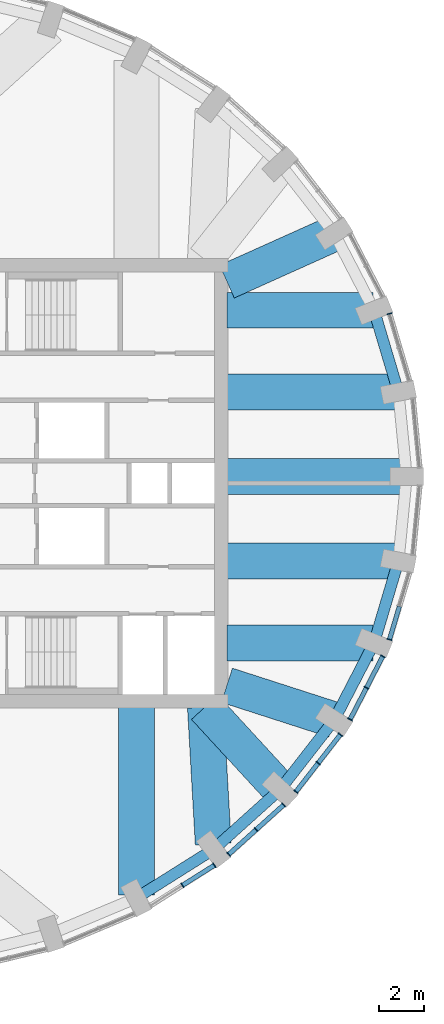
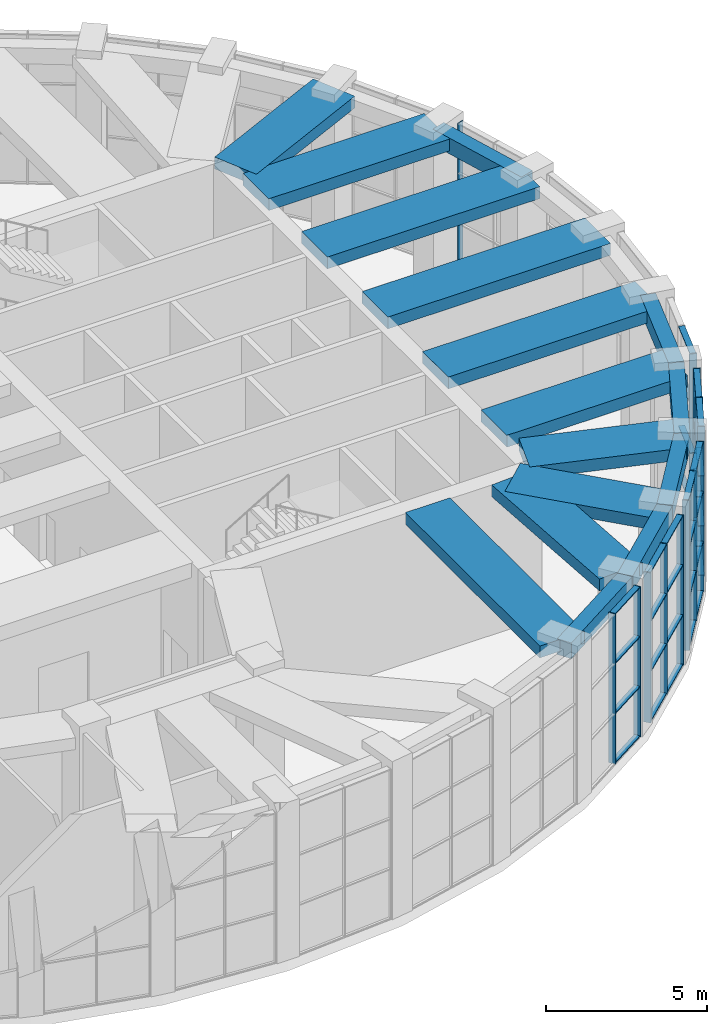
# One storey, part 7 of 20: 45 members, 16 beams, 6 elements without a shape of their own.
"""IFC4 building model written with IfcOpenShell, lengths in metres."""

import ifcopenshell
import ifcopenshell.guid

model = None  # the IFC model being written
_history = None  # IfcOwnerHistory: only IFC2X3 demands one
_inside = {}  # id of a spatial element -> (the spatial element, [elements in it])
_under = {}  # id of a project, library or spatial element -> (it, [spatial elements below it])
_declared = {}  # id of a project -> (the project, [libraries it declares])
_typed = {}  # id of a type object -> (the type object, [elements of that type])
_made_of = {}  # id of a material, layer set ... -> (it, [elements and type objects made of it])


def new_model(schema):
    """Start an empty IFC model of exactly this schema.

    Asked for "IFC4X3", IfcOpenShell would pick the latest addendum, in which some entities
    have other attributes; the version numbers below select the first issue.
    IFC2X3 requires an IfcOwnerHistory on every rooted entity: one is made here for all.
    """
    global model, _history
    if schema == "IFC4X3":
        model = ifcopenshell.file(schema_version=(4, 3, 0, 0))
    else:
        model = ifcopenshell.file(schema=schema)
    _inside.clear()
    _under.clear()
    _declared.clear()
    _typed.clear()
    _made_of.clear()
    _history = None
    if model.schema == "IFC2X3":
        org = make("IfcOrganization", Name="unknown")
        user = make(
            "IfcPersonAndOrganization",
            ThePerson=make("IfcPerson", FamilyName="unknown"),
            TheOrganization=org,
        )
        app = make(
            "IfcApplication",
            ApplicationDeveloper=org,
            Version="unknown",
            ApplicationFullName="unknown",
            ApplicationIdentifier="unknown",
        )
        _history = make(
            "IfcOwnerHistory",
            OwningUser=user,
            OwningApplication=app,
            ChangeAction="ADDED",
            CreationDate=0,
        )
    return model


def make(cls, **values):
    """One entity of the class cls with the attributes given. An attribute that is None is left unset."""
    return model.create_entity(
        cls, **{name: value for name, value in values.items() if value is not None}
    )


def rooted(cls, **values):
    """An entity with a GlobalId (a new one), such as an element, a storey or a relation."""
    return make(cls, GlobalId=ifcopenshell.guid.new(), OwnerHistory=_history, **values)


def si_unit(unit_type, name, prefix=None):
    """IfcSIUnit, for example si_unit("LENGTHUNIT", "METRE", prefix="MILLI")."""
    return make("IfcSIUnit", UnitType=unit_type, Prefix=prefix, Name=name)


def assignment(units):
    """IfcUnitAssignment: the units of a project."""
    return None if units is None else make("IfcUnitAssignment", Units=units)


def point(xyz):
    """IfcCartesianPoint."""
    return None if xyz is None else make("IfcCartesianPoint", Coordinates=xyz)


def direction(xyz):
    """IfcDirection."""
    return None if xyz is None else make("IfcDirection", DirectionRatios=xyz)


def frame(location, z_axis=None, x_axis=None):
    """IfcAxis2Placement3D, a coordinate frame: its origin and axes. An axis left out is left unset."""
    return make(
        "IfcAxis2Placement3D",
        Location=point(location),
        Axis=direction(z_axis),
        RefDirection=direction(x_axis),
    )


def frame_2d(location, x_axis=None):
    """IfcAxis2Placement2D, a coordinate frame in the plane: its origin and x axis."""
    return make(
        "IfcAxis2Placement2D", Location=point(location), RefDirection=direction(x_axis)
    )


def origin():
    """The frame at (0, 0, 0) with its axes left unset."""
    return frame((0.0, 0.0, 0.0))


def origin_2d():
    """The frame at (0, 0) in the plane with its x axis left unset."""
    return frame_2d((0.0, 0.0))


def place(relative_to, where):
    """IfcLocalPlacement: puts the frame where relative to a parent placement (None: the world)."""
    return make(
        "IfcLocalPlacement", PlacementRelTo=relative_to, RelativePlacement=where
    )


def context(
    kind, dimensions, precision=None, world=None, true_north=None, identifier=None
):
    """IfcGeometricRepresentationContext, for example the 3D "Model" context."""
    return make(
        "IfcGeometricRepresentationContext",
        ContextIdentifier=identifier,
        ContextType=kind,
        CoordinateSpaceDimension=dimensions,
        Precision=precision,
        WorldCoordinateSystem=world,
        TrueNorth=true_north,
    )


def subcontext(parent, identifier, kind, view, scale=None):
    """IfcGeometricRepresentationSubContext, for example "Body" below "Model"."""
    return make(
        "IfcGeometricRepresentationSubContext",
        ContextIdentifier=identifier,
        ContextType=kind,
        ParentContext=parent,
        TargetScale=scale,
        TargetView=view,
    )


def project(units=None, contexts=None):
    """IfcProject with its units and contexts."""
    return rooted(
        "IfcProject",
        Name="project",
        RepresentationContexts=contexts,
        UnitsInContext=assignment(units),
    )


def spatial(cls, under=None, at=None, **own):
    """A site, building, storey or space (cls), placed at a placement, below another one or the project."""
    s = rooted(cls, ObjectPlacement=at, **own)
    if under is not None:
        _under.setdefault(under.id(), (under, []))[1].append(s)
    return s


def profile(cls, at=None, kind="AREA", **sizes):
    """A parametric profile (cls). Its sizes go by their IFC names, for example OverallWidth=200.0."""
    return make(cls, ProfileType=kind, Position=at, **sizes)


def rectangle(**sizes):
    """IfcRectangleProfileDef."""
    return profile("IfcRectangleProfileDef", **sizes)


def extrude(swept, where, along, depth):
    """IfcExtrudedAreaSolid: the profile swept, set in the frame where, extruded along a direction by depth."""
    return make(
        "IfcExtrudedAreaSolid",
        SweptArea=swept,
        Position=where,
        ExtrudedDirection=direction(along),
        Depth=depth,
    )


def shape(context_of_items, identifier, shape_type, items):
    """IfcShapeRepresentation: the items that make up one representation, for example the "Body"."""
    return make(
        "IfcShapeRepresentation",
        ContextOfItems=context_of_items,
        RepresentationIdentifier=identifier,
        RepresentationType=shape_type,
        Items=items,
    )


def material(Name=None, Category=None):
    """IfcMaterial."""
    return make("IfcMaterial", Name=Name, Category=Category)


def material_profile(
    of_material, cross_section, Name=None, Category=None, Priority=None
):
    """IfcMaterialProfile: a cross section and its material."""
    return make(
        "IfcMaterialProfile",
        Name=Name,
        Material=of_material,
        Profile=cross_section,
        Priority=Priority,
        Category=Category,
    )


def profile_set(profiles, Name=None, composite=None):
    """IfcMaterialProfileSet."""
    return make(
        "IfcMaterialProfileSet",
        Name=Name,
        MaterialProfiles=profiles,
        CompositeProfile=composite,
    )


def made_of(thing, what):
    """Note that an element or type object is made of a material, layer set ...; save() writes the relation."""
    if what is not None:
        _made_of.setdefault(what.id(), (what, []))[1].append(thing)
    return thing


def type_object(cls, material=None, **own):
    """A type object (cls), such as IfcWallType, which elements share."""
    return made_of(rooted(cls, **own), material)


def element(
    cls,
    number,
    at=None,
    inside=None,
    cuts=None,
    type_object=None,
    material=None,
    context=None,
    identifier="Body",
    shape_type=None,
    held_by="IfcProductDefinitionShape",
    body=None,
    shapes=None,
    **own,
):
    """One element of the class cls, such as IfcWall. Its Tag is "e" and its number.

    at: its placement. inside: the storey or other place that contains it. cuts: it is an
    opening in that element (IfcRelVoidsElement). A single representation is given by context,
    identifier, shape_type and body (its items); several are given by shapes. held_by: the class
    of the entity that holds the representations. save() writes the other relations.
    """
    e = rooted(cls, Tag="e%d" % number, ObjectPlacement=at, **own)
    if body is not None:
        shapes = [shape(context, identifier, shape_type, body)]
    if shapes is not None:
        e.Representation = make(held_by, Representations=shapes)
    if inside is not None:
        _inside.setdefault(inside.id(), (inside, []))[1].append(e)
    if cuts is not None:
        rooted(
            "IfcRelVoidsElement", RelatingBuildingElement=cuts, RelatedOpeningElement=e
        )
    if type_object is not None:
        _typed.setdefault(type_object.id(), (type_object, []))[1].append(e)
    return made_of(e, material)


def aggregate(whole, parts):
    """IfcRelAggregates: a whole, such as a stair, and the parts it consists of."""
    return rooted("IfcRelAggregates", RelatingObject=whole, RelatedObjects=parts)


def save(model, path):
    """Write the relations noted so far, then the file.

    IfcRelAggregates (storeys below a building ...), IfcRelContainedInSpatialStructure (elements
    in a storey), IfcRelDefinesByType, IfcRelAssociatesMaterial and IfcRelDeclares: one each for
    every whole, place, type object, material and project.
    """
    for whole, parts in _under.values():
        aggregate(whole, parts)
    for where, things in _inside.values():
        rooted(
            "IfcRelContainedInSpatialStructure",
            RelatedElements=things,
            RelatingStructure=where,
        )
    for kind, things in _typed.values():
        rooted("IfcRelDefinesByType", RelatedObjects=things, RelatingType=kind)
    for what, things in _made_of.values():
        rooted("IfcRelAssociatesMaterial", RelatedObjects=things, RelatingMaterial=what)
    for by, libraries in _declared.values():
        rooted("IfcRelDeclares", RelatingContext=by, RelatedDefinitions=libraries)
    model.write(path)


model = new_model("IFC4")

# Units and contexts
model_context = context("Model", 3, precision=1e-05, world=origin(), true_north=direction((0.0, 1.0)))
body_context = subcontext(model_context, "Body", "Model", "MODEL_VIEW")
ifc_project = project(units=[si_unit("LENGTHUNIT", "METRE"), si_unit("AREAUNIT", "SQUARE_METRE"), si_unit("VOLUMEUNIT", "CUBIC_METRE"), si_unit("PLANEANGLEUNIT", "RADIAN"), si_unit("MASSUNIT", "GRAM", prefix="KILO")], contexts=[model_context])

# Site, building, storey
site_placement = place(None, origin())
site = spatial("IfcSite", under=ifc_project, at=site_placement, CompositionType="ELEMENT")
building_placement = place(site_placement, origin())
building = spatial("IfcBuilding", under=site, at=building_placement, Name="Taillehof Tower", CompositionType="ELEMENT")
storey_placement = place(building_placement, frame((0.0, 0.0, 269.199951171875)))
storey = spatial("IfcBuildingStorey", under=building, at=storey_placement, Name="L76", CompositionType="ELEMENT", Elevation=269.199951171875)

# Curtain wall, member
ifc_material_1 = material(Name="Aluminium curtain wall with Clear toughened laminated glass", Category="aluminium")
curtain_wall_type = type_object("IfcCurtainWallType", Name="Observation deck curtain wall", PredefinedType="USERDEFINED", material=ifc_material_1)
curtain_wall_1_placement = place(storey_placement, origin())
curtain_wall_1 = element("IfcCurtainWall", 1, at=curtain_wall_1_placement, inside=storey, type_object=curtain_wall_type, Name="Observation deck L76 bay 2", ObjectType="WINDOW WALL", PredefinedType="USERDEFINED")
ifc_material_2 = material(Name="Aluminium mullion", Category="aluminium")
ifc_material_profile_1 = material_profile(ifc_material_2, rectangle(XDim=0.239990234375, YDim=0.0400390625, at=origin_2d()), Name="AL 40x240")
ifc_profile_set_1 = profile_set([ifc_material_profile_1], Name="Aluminium mullion")
member_type_1 = type_object("IfcMemberType", Name="Observation deck mullion 40x240", PredefinedType="MULLION", material=ifc_profile_set_1)
member_1_placement = place(storey_placement, frame((23.188720703125, 7.55126953125, 0.0), z_axis=(0.0, 0.0, 1.0), x_axis=(-0.958457446134, -0.285235558707, 0.0)))
member_1 = element("IfcMember", 2, at=member_1_placement, type_object=member_type_1, Name="CT6E02 mullion 3", PredefinedType="MULLION", context=body_context, shape_type="SweptSolid", body=[
    extrude(rectangle(XDim=0.239990234375, YDim=0.0400390625, at=origin_2d()), origin(), (0.0, 0.0, 1.0), 5.699951171875),
])
aggregate(curtain_wall_1, [member_1])

# Curtain wall, members
curtain_wall_2_placement = place(storey_placement, origin())
curtain_wall_2 = element("IfcCurtainWall", 3, at=curtain_wall_2_placement, inside=storey, type_object=curtain_wall_type, Name="Observation deck L76 bay 31", ObjectType="WINDOW WALL", PredefinedType="USERDEFINED")
member_2_placement = place(storey_placement, frame((13.972412109375, -17.888671875, 0.0), z_axis=(0.0, 0.0, 1.0), x_axis=(-0.533294430468, 0.845929695916, 0.0)))
member_2 = element("IfcMember", 4, at=member_2_placement, type_object=member_type_1, Name="CT6E31 mullion 2", PredefinedType="MULLION", context=body_context, shape_type="SweptSolid", body=[
    extrude(rectangle(XDim=0.239990234375, YDim=0.0400390625, at=origin_2d()), origin(), (0.0, 0.0, 1.0), 5.699951171875),
])
member_3_placement = place(storey_placement, frame((15.3935546875, -16.99267578125, 0.0), z_axis=(0.0, 0.0, 1.0), x_axis=(-0.533294430468, 0.845929695916, 0.0)))
member_3 = element("IfcMember", 5, at=member_3_placement, type_object=member_type_1, Name="CT6E31 mullion 3", PredefinedType="MULLION", context=body_context, shape_type="SweptSolid", body=[
    extrude(rectangle(XDim=0.239990234375, YDim=0.0400390625, at=origin_2d()), origin(), (0.0, 0.0, 1.0), 5.699951171875),
])

curtain_wall_3_placement = place(storey_placement, origin())
curtain_wall_3 = element("IfcCurtainWall", 6, at=curtain_wall_3_placement, inside=storey, type_object=curtain_wall_type, Name="Observation deck L76 bay 32", ObjectType="WINDOW WALL", PredefinedType="USERDEFINED")
member_4_placement = place(storey_placement, frame((16.031494140625, -16.510009765625, 0.0), z_axis=(0.0, 0.0, 1.0), x_axis=(-0.669107157872, 0.74316593792, 0.0)))
member_4 = element("IfcMember", 7, at=member_4_placement, type_object=member_type_1, Name="CT6E32 mullion 1", PredefinedType="MULLION", context=body_context, shape_type="SweptSolid", body=[
    extrude(rectangle(XDim=0.239990234375, YDim=0.0400390625, at=origin_2d()), origin(), (0.0, 0.0, 1.0), 5.699951171875),
])
member_5_placement = place(storey_placement, frame((17.255126953125, -15.408447265625, 0.0), z_axis=(0.0, 0.0, 1.0), x_axis=(-0.669107157872, 0.74316593792, 0.0)))
member_5 = element("IfcMember", 8, at=member_5_placement, type_object=member_type_1, Name="CT6E32 mullion 2", PredefinedType="MULLION", context=body_context, shape_type="SweptSolid", body=[
    extrude(rectangle(XDim=0.239990234375, YDim=0.0400390625, at=origin_2d()), origin(), (0.0, 0.0, 1.0), 5.699951171875),
])
member_6_placement = place(storey_placement, frame((18.478759765625, -14.306640625, 0.0), z_axis=(0.0, 0.0, 1.0), x_axis=(-0.669107157872, 0.74316593792, 0.0)))
member_6 = element("IfcMember", 9, at=member_6_placement, type_object=member_type_1, Name="CT6E32 mullion 3", PredefinedType="MULLION", context=body_context, shape_type="SweptSolid", body=[
    extrude(rectangle(XDim=0.239990234375, YDim=0.0400390625, at=origin_2d()), origin(), (0.0, 0.0, 1.0), 5.699951171875),
])

curtain_wall_4_placement = place(storey_placement, origin())
curtain_wall_4 = element("IfcCurtainWall", 10, at=curtain_wall_4_placement, inside=storey, type_object=curtain_wall_type, Name="Observation deck L76 bay 33", ObjectType="WINDOW WALL", PredefinedType="USERDEFINED")
member_7_placement = place(storey_placement, frame((19.023681640625, -13.720947265625, 0.0), z_axis=(0.0, 0.0, 1.0), x_axis=(-0.789381612432, 0.613902818005, 0.0)))
member_7 = element("IfcMember", 11, at=member_7_placement, type_object=member_type_1, Name="CT6E33 mullion 1", PredefinedType="MULLION", context=body_context, shape_type="SweptSolid", body=[
    extrude(rectangle(XDim=0.239990234375, YDim=0.0400390625, at=origin_2d()), origin(), (0.0, 0.0, 1.0), 5.699951171875),
])
member_8_placement = place(storey_placement, frame((20.013427734375, -12.448486328125, 0.0), z_axis=(0.0, 0.0, 1.0), x_axis=(-0.789381612432, 0.613902818005, 0.0)))
member_8 = element("IfcMember", 12, at=member_8_placement, type_object=member_type_1, Name="CT6E33 mullion 2", PredefinedType="MULLION", context=body_context, shape_type="SweptSolid", body=[
    extrude(rectangle(XDim=0.239990234375, YDim=0.0400390625, at=origin_2d()), origin(), (0.0, 0.0, 1.0), 5.699951171875),
])
member_9_placement = place(storey_placement, frame((21.003173828125, -11.17578125, 0.0), z_axis=(0.0, 0.0, 1.0), x_axis=(-0.789381612432, 0.613902818005, 0.0)))
member_9 = element("IfcMember", 13, at=member_9_placement, type_object=member_type_1, Name="CT6E33 mullion 3", PredefinedType="MULLION", context=body_context, shape_type="SweptSolid", body=[
    extrude(rectangle(XDim=0.239990234375, YDim=0.0400390625, at=origin_2d()), origin(), (0.0, 0.0, 1.0), 5.699951171875),
])

curtain_wall_5_placement = place(storey_placement, origin())
curtain_wall_5 = element("IfcCurtainWall", 14, at=curtain_wall_5_placement, inside=storey, type_object=curtain_wall_type, Name="Observation deck L76 bay 34", ObjectType="WINDOW WALL", PredefinedType="USERDEFINED")
member_10_placement = place(storey_placement, frame((21.4345703125, -10.501953125, 0.0), z_axis=(0.0, 0.0, 1.0), x_axis=(-0.887975262702, 0.459891218474, 0.0)))
member_10 = element("IfcMember", 15, at=member_10_placement, type_object=member_type_1, Name="CT6E34 mullion 1", PredefinedType="MULLION", context=body_context, shape_type="SweptSolid", body=[
    extrude(rectangle(XDim=0.239990234375, YDim=0.0400390625, at=origin_2d()), origin(), (0.0, 0.0, 1.0), 5.699951171875),
])
member_11_placement = place(storey_placement, frame((22.161865234375, -9.097412109375, 0.0), z_axis=(0.0, 0.0, 1.0), x_axis=(-0.887975262702, 0.459891218474, 0.0)))
member_11 = element("IfcMember", 16, at=member_11_placement, type_object=member_type_1, Name="CT6E34 mullion 2", PredefinedType="MULLION", context=body_context, shape_type="SweptSolid", body=[
    extrude(rectangle(XDim=0.239990234375, YDim=0.0400390625, at=origin_2d()), origin(), (0.0, 0.0, 1.0), 5.699951171875),
])
member_12_placement = place(storey_placement, frame((22.889404296875, -7.693115234375, 0.0), z_axis=(0.0, 0.0, 1.0), x_axis=(-0.887975262702, 0.459891218474, 0.0)))
member_12 = element("IfcMember", 17, at=member_12_placement, type_object=member_type_1, Name="CT6E34 mullion 3", PredefinedType="MULLION", context=body_context, shape_type="SweptSolid", body=[
    extrude(rectangle(XDim=0.239990234375, YDim=0.0400390625, at=origin_2d()), origin(), (0.0, 0.0, 1.0), 5.699951171875),
])

# Curtain wall, member
curtain_wall_6_placement = place(storey_placement, origin())
curtain_wall_6 = element("IfcCurtainWall", 18, at=curtain_wall_6_placement, inside=storey, type_object=curtain_wall_type, Name="Observation deck L76 bay 35", ObjectType="WINDOW WALL", PredefinedType="USERDEFINED")
member_13_placement = place(storey_placement, frame((23.188720703125, -6.951171875, 0.0), z_axis=(0.0, 0.0, 1.0), x_axis=(-0.958457446134, 0.285235558707, 0.0)))
member_13 = element("IfcMember", 19, at=member_13_placement, type_object=member_type_1, Name="CT6E35 mullion 1", PredefinedType="MULLION", context=body_context, shape_type="SweptSolid", body=[
    extrude(rectangle(XDim=0.239990234375, YDim=0.0400390625, at=origin_2d()), origin(), (0.0, 0.0, 1.0), 5.699951171875),
])

# Member
ifc_material_3 = material(Name="Aluminium transom", Category="aluminium")
ifc_material_profile_2 = material_profile(ifc_material_3, rectangle(XDim=0.199951171875, YDim=0.0400390625, at=origin_2d()), Name="AL 200x40")
ifc_profile_set_2 = profile_set([ifc_material_profile_2], Name="Aluminium transom")
member_type_2 = type_object("IfcMemberType", Name="Observation deck transom 200x40", PredefinedType="USERDEFINED", material=ifc_profile_set_2)
member_14_placement = place(storey_placement, frame((13.9892578125, -17.878173828125, 0.02001953125), z_axis=(0.845909544428, 0.533326394102, 0.0), x_axis=(-0.533326394102, 0.845909544428, 0.0)))
member_14 = element("IfcMember", 20, at=member_14_placement, type_object=member_type_2, Name="CT6E31 transom 2.1", ObjectType="TRANSOM", PredefinedType="USERDEFINED", context=body_context, shape_type="SweptSolid", body=[
    extrude(rectangle(XDim=0.199951171875, YDim=0.0400390625, at=origin_2d()), origin(), (0.0, 0.0, 1.0), 1.64013671875),
])

member_15_placement = place(storey_placement, frame((13.9892578125, -17.878173828125, 1.900146484375), z_axis=(0.845909544428, 0.533326394102, 0.0), x_axis=(-0.533326394102, 0.845909544428, 0.0)))
member_15 = element("IfcMember", 21, at=member_15_placement, type_object=member_type_2, Name="CT6E31 transom 2.2", ObjectType="TRANSOM", PredefinedType="USERDEFINED", context=body_context, shape_type="SweptSolid", body=[
    extrude(rectangle(XDim=0.199951171875, YDim=0.0400390625, at=origin_2d()), origin(), (0.0, 0.0, 1.0), 1.64013671875),
])

member_16_placement = place(storey_placement, frame((13.9892578125, -17.878173828125, 3.800048828125), z_axis=(0.845909544428, 0.533326394102, 0.0), x_axis=(-0.533326394102, 0.845909544428, 0.0)))
member_16 = element("IfcMember", 22, at=member_16_placement, type_object=member_type_2, Name="CT6E31 transom 2.3", ObjectType="TRANSOM", PredefinedType="USERDEFINED", context=body_context, shape_type="SweptSolid", body=[
    extrude(rectangle(XDim=0.199951171875, YDim=0.0400390625, at=origin_2d()), origin(), (0.0, 0.0, 1.0), 1.64013671875),
])

member_17_placement = place(storey_placement, frame((13.9892578125, -17.878173828125, 5.679931640625), z_axis=(0.845909544428, 0.533326394102, 0.0), x_axis=(-0.533326394102, 0.845909544428, 0.0)))
member_17 = element("IfcMember", 23, at=member_17_placement, type_object=member_type_2, Name="CT6E31 transom 2.4", ObjectType="TRANSOM", PredefinedType="USERDEFINED", context=body_context, shape_type="SweptSolid", body=[
    extrude(rectangle(XDim=0.199951171875, YDim=0.0400390625, at=origin_2d()), origin(), (0.0, 0.0, 1.0), 1.64013671875),
])

aggregate(curtain_wall_2, [member_2, member_3, member_14, member_15, member_16, member_17])

member_18_placement = place(storey_placement, frame((16.04638671875, -16.49658203125, 0.02001953125), z_axis=(0.74314299492, 0.669132639393, 0.0), x_axis=(-0.669132639393, 0.74314299492, 0.0)))
member_18 = element("IfcMember", 24, at=member_18_placement, type_object=member_type_2, Name="CT6E32 transom 1.1", ObjectType="TRANSOM", PredefinedType="USERDEFINED", context=body_context, shape_type="SweptSolid", body=[
    extrude(rectangle(XDim=0.199951171875, YDim=0.0400390625, at=origin_2d()), origin(), (0.0, 0.0, 1.0), 1.6064453125),
])

member_19_placement = place(storey_placement, frame((16.04638671875, -16.49658203125, 1.900146484375), z_axis=(0.74314299492, 0.669132639393, 0.0), x_axis=(-0.669132639393, 0.74314299492, 0.0)))
member_19 = element("IfcMember", 25, at=member_19_placement, type_object=member_type_2, Name="CT6E32 transom 1.2", ObjectType="TRANSOM", PredefinedType="USERDEFINED", context=body_context, shape_type="SweptSolid", body=[
    extrude(rectangle(XDim=0.199951171875, YDim=0.0400390625, at=origin_2d()), origin(), (0.0, 0.0, 1.0), 1.6064453125),
])

member_20_placement = place(storey_placement, frame((16.04638671875, -16.49658203125, 3.800048828125), z_axis=(0.74314299492, 0.669132639393, 0.0), x_axis=(-0.669132639393, 0.74314299492, 0.0)))
member_20 = element("IfcMember", 26, at=member_20_placement, type_object=member_type_2, Name="CT6E32 transom 1.3", ObjectType="TRANSOM", PredefinedType="USERDEFINED", context=body_context, shape_type="SweptSolid", body=[
    extrude(rectangle(XDim=0.199951171875, YDim=0.0400390625, at=origin_2d()), origin(), (0.0, 0.0, 1.0), 1.6064453125),
])

member_21_placement = place(storey_placement, frame((16.04638671875, -16.49658203125, 5.679931640625), z_axis=(0.74314299492, 0.669132639393, 0.0), x_axis=(-0.669132639393, 0.74314299492, 0.0)))
member_21 = element("IfcMember", 27, at=member_21_placement, type_object=member_type_2, Name="CT6E32 transom 1.4", ObjectType="TRANSOM", PredefinedType="USERDEFINED", context=body_context, shape_type="SweptSolid", body=[
    extrude(rectangle(XDim=0.199951171875, YDim=0.0400390625, at=origin_2d()), origin(), (0.0, 0.0, 1.0), 1.6064453125),
])

member_22_placement = place(storey_placement, frame((17.27001953125, -15.39501953125, 0.02001953125), z_axis=(0.74314299492, 0.669132639393, 0.0), x_axis=(-0.669132639393, 0.74314299492, 0.0)))
member_22 = element("IfcMember", 28, at=member_22_placement, type_object=member_type_2, Name="CT6E32 transom 2.1", ObjectType="TRANSOM", PredefinedType="USERDEFINED", context=body_context, shape_type="SweptSolid", body=[
    extrude(rectangle(XDim=0.199951171875, YDim=0.0400390625, at=origin_2d()), origin(), (0.0, 0.0, 1.0), 1.6064453125),
])

member_23_placement = place(storey_placement, frame((17.27001953125, -15.39501953125, 1.900146484375), z_axis=(0.74314299492, 0.669132639393, 0.0), x_axis=(-0.669132639393, 0.74314299492, 0.0)))
member_23 = element("IfcMember", 29, at=member_23_placement, type_object=member_type_2, Name="CT6E32 transom 2.2", ObjectType="TRANSOM", PredefinedType="USERDEFINED", context=body_context, shape_type="SweptSolid", body=[
    extrude(rectangle(XDim=0.199951171875, YDim=0.0400390625, at=origin_2d()), origin(), (0.0, 0.0, 1.0), 1.6064453125),
])

member_24_placement = place(storey_placement, frame((17.27001953125, -15.39501953125, 3.800048828125), z_axis=(0.74314299492, 0.669132639393, 0.0), x_axis=(-0.669132639393, 0.74314299492, 0.0)))
member_24 = element("IfcMember", 30, at=member_24_placement, type_object=member_type_2, Name="CT6E32 transom 2.3", ObjectType="TRANSOM", PredefinedType="USERDEFINED", context=body_context, shape_type="SweptSolid", body=[
    extrude(rectangle(XDim=0.199951171875, YDim=0.0400390625, at=origin_2d()), origin(), (0.0, 0.0, 1.0), 1.6064453125),
])

member_25_placement = place(storey_placement, frame((17.27001953125, -15.39501953125, 5.679931640625), z_axis=(0.74314299492, 0.669132639393, 0.0), x_axis=(-0.669132639393, 0.74314299492, 0.0)))
member_25 = element("IfcMember", 31, at=member_25_placement, type_object=member_type_2, Name="CT6E32 transom 2.4", ObjectType="TRANSOM", PredefinedType="USERDEFINED", context=body_context, shape_type="SweptSolid", body=[
    extrude(rectangle(XDim=0.199951171875, YDim=0.0400390625, at=origin_2d()), origin(), (0.0, 0.0, 1.0), 1.6064453125),
])

aggregate(curtain_wall_3, [member_4, member_5, member_6, member_18, member_19, member_20, member_21, member_22, member_23, member_24, member_25])

member_26_placement = place(storey_placement, frame((19.0361328125, -13.705322265625, 0.02001953125), z_axis=(0.613822354834, 0.789444182134, 0.0), x_axis=(-0.789444182134, 0.613822354834, 0.0)))
member_26 = element("IfcMember", 32, at=member_26_placement, type_object=member_type_2, Name="CT6E33 transom 1.1", ObjectType="TRANSOM", PredefinedType="USERDEFINED", context=body_context, shape_type="SweptSolid", body=[
    extrude(rectangle(XDim=0.199951171875, YDim=0.0400390625, at=origin_2d()), origin(), (0.0, 0.0, 1.0), 1.572265625),
])

member_27_placement = place(storey_placement, frame((19.0361328125, -13.705322265625, 1.900146484375), z_axis=(0.613822354834, 0.789444182134, 0.0), x_axis=(-0.789444182134, 0.613822354834, 0.0)))
member_27 = element("IfcMember", 33, at=member_27_placement, type_object=member_type_2, Name="CT6E33 transom 1.2", ObjectType="TRANSOM", PredefinedType="USERDEFINED", context=body_context, shape_type="SweptSolid", body=[
    extrude(rectangle(XDim=0.199951171875, YDim=0.0400390625, at=origin_2d()), origin(), (0.0, 0.0, 1.0), 1.572265625),
])

member_28_placement = place(storey_placement, frame((19.0361328125, -13.705322265625, 3.800048828125), z_axis=(0.613822354834, 0.789444182134, 0.0), x_axis=(-0.789444182134, 0.613822354834, 0.0)))
member_28 = element("IfcMember", 34, at=member_28_placement, type_object=member_type_2, Name="CT6E33 transom 1.3", ObjectType="TRANSOM", PredefinedType="USERDEFINED", context=body_context, shape_type="SweptSolid", body=[
    extrude(rectangle(XDim=0.199951171875, YDim=0.0400390625, at=origin_2d()), origin(), (0.0, 0.0, 1.0), 1.572265625),
])

member_29_placement = place(storey_placement, frame((19.0361328125, -13.705322265625, 5.679931640625), z_axis=(0.613822354834, 0.789444182134, 0.0), x_axis=(-0.789444182134, 0.613822354834, 0.0)))
member_29 = element("IfcMember", 35, at=member_29_placement, type_object=member_type_2, Name="CT6E33 transom 1.4", ObjectType="TRANSOM", PredefinedType="USERDEFINED", context=body_context, shape_type="SweptSolid", body=[
    extrude(rectangle(XDim=0.199951171875, YDim=0.0400390625, at=origin_2d()), origin(), (0.0, 0.0, 1.0), 1.572265625),
])

member_30_placement = place(storey_placement, frame((20.02587890625, -12.4326171875, 0.02001953125), z_axis=(0.613822354834, 0.789444182134, 0.0), x_axis=(-0.789444182134, 0.613822354834, 0.0)))
member_30 = element("IfcMember", 36, at=member_30_placement, type_object=member_type_2, Name="CT6E33 transom 2.1", ObjectType="TRANSOM", PredefinedType="USERDEFINED", context=body_context, shape_type="SweptSolid", body=[
    extrude(rectangle(XDim=0.199951171875, YDim=0.0400390625, at=origin_2d()), origin(), (0.0, 0.0, 1.0), 1.572265625),
])

member_31_placement = place(storey_placement, frame((20.02587890625, -12.4326171875, 1.900146484375), z_axis=(0.613822354834, 0.789444182134, 0.0), x_axis=(-0.789444182134, 0.613822354834, 0.0)))
member_31 = element("IfcMember", 37, at=member_31_placement, type_object=member_type_2, Name="CT6E33 transom 2.2", ObjectType="TRANSOM", PredefinedType="USERDEFINED", context=body_context, shape_type="SweptSolid", body=[
    extrude(rectangle(XDim=0.199951171875, YDim=0.0400390625, at=origin_2d()), origin(), (0.0, 0.0, 1.0), 1.572265625),
])

member_32_placement = place(storey_placement, frame((20.02587890625, -12.4326171875, 3.800048828125), z_axis=(0.613822354834, 0.789444182134, 0.0), x_axis=(-0.789444182134, 0.613822354834, 0.0)))
member_32 = element("IfcMember", 38, at=member_32_placement, type_object=member_type_2, Name="CT6E33 transom 2.3", ObjectType="TRANSOM", PredefinedType="USERDEFINED", context=body_context, shape_type="SweptSolid", body=[
    extrude(rectangle(XDim=0.199951171875, YDim=0.0400390625, at=origin_2d()), origin(), (0.0, 0.0, 1.0), 1.572265625),
])

member_33_placement = place(storey_placement, frame((20.02587890625, -12.4326171875, 5.679931640625), z_axis=(0.613822354834, 0.789444182134, 0.0), x_axis=(-0.789444182134, 0.613822354834, 0.0)))
member_33 = element("IfcMember", 39, at=member_33_placement, type_object=member_type_2, Name="CT6E33 transom 2.4", ObjectType="TRANSOM", PredefinedType="USERDEFINED", context=body_context, shape_type="SweptSolid", body=[
    extrude(rectangle(XDim=0.199951171875, YDim=0.0400390625, at=origin_2d()), origin(), (0.0, 0.0, 1.0), 1.572265625),
])

aggregate(curtain_wall_4, [member_7, member_8, member_9, member_26, member_27, member_28, member_29, member_30, member_31, member_32, member_33])

member_34_placement = place(storey_placement, frame((21.44384765625, -10.484130859375, 0.02001953125), z_axis=(0.459901076525, 0.88797015705, 0.0), x_axis=(-0.88797015705, 0.459901076525, 0.0)))
member_34 = element("IfcMember", 40, at=member_34_placement, type_object=member_type_2, Name="CT6E34 transom 1.1", ObjectType="TRANSOM", PredefinedType="USERDEFINED", context=body_context, shape_type="SweptSolid", body=[
    extrude(rectangle(XDim=0.199951171875, YDim=0.0400390625, at=origin_2d()), origin(), (0.0, 0.0, 1.0), 1.54150390625),
])

member_35_placement = place(storey_placement, frame((21.44384765625, -10.484130859375, 1.900146484375), z_axis=(0.459901076525, 0.88797015705, 0.0), x_axis=(-0.88797015705, 0.459901076525, 0.0)))
member_35 = element("IfcMember", 41, at=member_35_placement, type_object=member_type_2, Name="CT6E34 transom 1.2", ObjectType="TRANSOM", PredefinedType="USERDEFINED", context=body_context, shape_type="SweptSolid", body=[
    extrude(rectangle(XDim=0.199951171875, YDim=0.0400390625, at=origin_2d()), origin(), (0.0, 0.0, 1.0), 1.54150390625),
])

member_36_placement = place(storey_placement, frame((21.44384765625, -10.484130859375, 3.800048828125), z_axis=(0.459901076525, 0.88797015705, 0.0), x_axis=(-0.88797015705, 0.459901076525, 0.0)))
member_36 = element("IfcMember", 42, at=member_36_placement, type_object=member_type_2, Name="CT6E34 transom 1.3", ObjectType="TRANSOM", PredefinedType="USERDEFINED", context=body_context, shape_type="SweptSolid", body=[
    extrude(rectangle(XDim=0.199951171875, YDim=0.0400390625, at=origin_2d()), origin(), (0.0, 0.0, 1.0), 1.54150390625),
])

member_37_placement = place(storey_placement, frame((21.44384765625, -10.484130859375, 5.679931640625), z_axis=(0.459901076525, 0.88797015705, 0.0), x_axis=(-0.88797015705, 0.459901076525, 0.0)))
member_37 = element("IfcMember", 43, at=member_37_placement, type_object=member_type_2, Name="CT6E34 transom 1.4", ObjectType="TRANSOM", PredefinedType="USERDEFINED", context=body_context, shape_type="SweptSolid", body=[
    extrude(rectangle(XDim=0.199951171875, YDim=0.0400390625, at=origin_2d()), origin(), (0.0, 0.0, 1.0), 1.54150390625),
])

member_38_placement = place(storey_placement, frame((22.171142578125, -9.079833984375, 0.02001953125), z_axis=(0.459836410267, 0.888003646272, 0.0), x_axis=(-0.888003646272, 0.459836410267, 0.0)))
member_38 = element("IfcMember", 44, at=member_38_placement, type_object=member_type_2, Name="CT6E34 transom 2.1", ObjectType="TRANSOM", PredefinedType="USERDEFINED", context=body_context, shape_type="SweptSolid", body=[
    extrude(rectangle(XDim=0.199951171875, YDim=0.0400390625, at=origin_2d()), origin(), (0.0, 0.0, 1.0), 1.541748046875),
])

member_39_placement = place(storey_placement, frame((22.171142578125, -9.079833984375, 1.900146484375), z_axis=(0.459836410267, 0.888003646272, 0.0), x_axis=(-0.888003646272, 0.459836410267, 0.0)))
member_39 = element("IfcMember", 45, at=member_39_placement, type_object=member_type_2, Name="CT6E34 transom 2.2", ObjectType="TRANSOM", PredefinedType="USERDEFINED", context=body_context, shape_type="SweptSolid", body=[
    extrude(rectangle(XDim=0.199951171875, YDim=0.0400390625, at=origin_2d()), origin(), (0.0, 0.0, 1.0), 1.541748046875),
])

member_40_placement = place(storey_placement, frame((22.171142578125, -9.079833984375, 3.800048828125), z_axis=(0.459836410267, 0.888003646272, 0.0), x_axis=(-0.888003646272, 0.459836410267, 0.0)))
member_40 = element("IfcMember", 46, at=member_40_placement, type_object=member_type_2, Name="CT6E34 transom 2.3", ObjectType="TRANSOM", PredefinedType="USERDEFINED", context=body_context, shape_type="SweptSolid", body=[
    extrude(rectangle(XDim=0.199951171875, YDim=0.0400390625, at=origin_2d()), origin(), (0.0, 0.0, 1.0), 1.541748046875),
])

member_41_placement = place(storey_placement, frame((22.171142578125, -9.079833984375, 5.679931640625), z_axis=(0.459836410267, 0.888003646272, 0.0), x_axis=(-0.888003646272, 0.459836410267, 0.0)))
member_41 = element("IfcMember", 47, at=member_41_placement, type_object=member_type_2, Name="CT6E34 transom 2.4", ObjectType="TRANSOM", PredefinedType="USERDEFINED", context=body_context, shape_type="SweptSolid", body=[
    extrude(rectangle(XDim=0.199951171875, YDim=0.0400390625, at=origin_2d()), origin(), (0.0, 0.0, 1.0), 1.541748046875),
])

aggregate(curtain_wall_5, [member_10, member_11, member_12, member_34, member_35, member_36, member_37, member_38, member_39, member_40, member_41])

member_42_placement = place(storey_placement, frame((23.1943359375, -6.93212890625, 0.02001953125), z_axis=(0.285297538637, 0.958438998814, 0.0), x_axis=(-0.958438998814, 0.285297538637, 0.0)))
member_42 = element("IfcMember", 48, at=member_42_placement, type_object=member_type_2, Name="CT6E35 transom 1.1", ObjectType="TRANSOM", PredefinedType="USERDEFINED", context=body_context, shape_type="SweptSolid", body=[
    extrude(rectangle(XDim=0.199951171875, YDim=0.0400390625, at=origin_2d()), origin(), (0.0, 0.0, 1.0), 1.51904296875),
])

member_43_placement = place(storey_placement, frame((23.1943359375, -6.93212890625, 1.900146484375), z_axis=(0.285297538637, 0.958438998814, 0.0), x_axis=(-0.958438998814, 0.285297538637, 0.0)))
member_43 = element("IfcMember", 49, at=member_43_placement, type_object=member_type_2, Name="CT6E35 transom 1.2", ObjectType="TRANSOM", PredefinedType="USERDEFINED", context=body_context, shape_type="SweptSolid", body=[
    extrude(rectangle(XDim=0.199951171875, YDim=0.0400390625, at=origin_2d()), origin(), (0.0, 0.0, 1.0), 1.51904296875),
])

member_44_placement = place(storey_placement, frame((23.1943359375, -6.93212890625, 3.800048828125), z_axis=(0.285297538637, 0.958438998814, 0.0), x_axis=(-0.958438998814, 0.285297538637, 0.0)))
member_44 = element("IfcMember", 50, at=member_44_placement, type_object=member_type_2, Name="CT6E35 transom 1.3", ObjectType="TRANSOM", PredefinedType="USERDEFINED", context=body_context, shape_type="SweptSolid", body=[
    extrude(rectangle(XDim=0.199951171875, YDim=0.0400390625, at=origin_2d()), origin(), (0.0, 0.0, 1.0), 1.51904296875),
])

member_45_placement = place(storey_placement, frame((23.1943359375, -6.93212890625, 5.679931640625), z_axis=(0.285297538637, 0.958438998814, 0.0), x_axis=(-0.958438998814, 0.285297538637, 0.0)))
member_45 = element("IfcMember", 51, at=member_45_placement, type_object=member_type_2, Name="CT6E35 transom 1.4", ObjectType="TRANSOM", PredefinedType="USERDEFINED", context=body_context, shape_type="SweptSolid", body=[
    extrude(rectangle(XDim=0.199951171875, YDim=0.0400390625, at=origin_2d()), origin(), (0.0, 0.0, 1.0), 1.51904296875),
])

aggregate(curtain_wall_6, [member_13, member_42, member_43, member_44, member_45])

# Beams
ifc_material_4 = material(Name="Concrete C50/60", Category="concrete")
ifc_material_profile_3 = material_profile(ifc_material_4, rectangle(XDim=1.60009765625, YDim=0.449951171875, at=origin_2d()), Name="RC 1600x450")
ifc_profile_set_3 = profile_set([ifc_material_profile_3], Name="Concrete C50/60")
beam_type_1 = type_object("IfcBeamType", Name="Radial band beam C50/60 1600x450", PredefinedType="BEAM", material=ifc_profile_set_3)
beam_1_placement = place(storey_placement, frame((23.949951171875, 0.300048828125, 5.47509765625), z_axis=(-1.0, 0.0, 0.0), x_axis=(0.0, -1.0, 0.0)))
element("IfcBeam", 52, at=beam_1_placement, inside=storey, type_object=beam_type_1, Name="Radial band beam RB01", PredefinedType="BEAM", context=body_context, shape_type="SweptSolid", body=[
    extrude(rectangle(XDim=1.60009765625, YDim=0.449951171875, at=origin_2d()), origin(), (0.0, 0.0, 1.0), 8.0),
])
beam_2_placement = place(storey_placement, frame((23.584716796875, 4.0595703125, 5.47509765625), z_axis=(-1.0, 0.0, 0.0), x_axis=(0.0, -1.0, 0.0)))
element("IfcBeam", 53, at=beam_2_placement, inside=storey, type_object=beam_type_1, Name="Radial band beam RB02", PredefinedType="BEAM", context=body_context, shape_type="SweptSolid", body=[
    extrude(rectangle(XDim=1.60009765625, YDim=0.449951171875, at=origin_2d()), origin(), (0.0, 0.0, 1.0), 7.634765625),
])
beam_3_placement = place(storey_placement, frame((22.44580078125, 7.704833984375, 5.47509765625), z_axis=(-1.0, 0.0, 0.0), x_axis=(0.0, -1.0, 0.0)))
element("IfcBeam", 54, at=beam_3_placement, inside=storey, type_object=beam_type_1, Name="Radial band beam RB03", PredefinedType="BEAM", context=body_context, shape_type="SweptSolid", body=[
    extrude(rectangle(XDim=1.60009765625, YDim=0.449951171875, at=origin_2d()), origin(), (0.0, 0.0, 1.0), 6.495849609375),
])
beam_4_placement = place(storey_placement, frame((20.72802734375, 11.125, 5.47509765625), z_axis=(-0.912110813011, -0.409943733685, 0.0), x_axis=(0.409943733685, -0.912110813011, 0.0)))
element("IfcBeam", 55, at=beam_4_placement, inside=storey, type_object=beam_type_1, Name="Radial band beam RB04", PredefinedType="BEAM", context=body_context, shape_type="SweptSolid", body=[
    extrude(rectangle(XDim=1.60009765625, YDim=0.449951171875, at=origin_2d()), origin(), (0.0, 0.0, 1.0), 5.233642578125),
])
beam_5_placement = place(storey_placement, frame((11.925048828125, -18.3154296875, 5.47509765625), z_axis=(0.0, 1.0, 0.0), x_axis=(-1.0, 0.0, 0.0)))
element("IfcBeam", 56, at=beam_5_placement, inside=storey, type_object=beam_type_1, Name="Radial band beam RB31", PredefinedType="BEAM", context=body_context, shape_type="SweptSolid", body=[
    extrude(rectangle(XDim=1.60009765625, YDim=0.449951171875, at=origin_2d()), origin(), (0.0, 0.0, 1.0), 8.365478515625),
])
beam_6_placement = place(storey_placement, frame((15.345703125, -16.050537109375, 5.47509765625), z_axis=(-0.057056617778, 0.998370944273, 0.0), x_axis=(-0.998370944273, -0.057056617778, 0.0)))
element("IfcBeam", 57, at=beam_6_placement, inside=storey, type_object=beam_type_1, Name="Radial band beam RB32", PredefinedType="BEAM", context=body_context, shape_type="SweptSolid", body=[
    extrude(rectangle(XDim=1.60009765625, YDim=0.449951171875, at=origin_2d()), origin(), (0.0, 0.0, 1.0), 6.1103515625),
])
beam_7_placement = place(storey_placement, frame((18.323486328125, -13.616455078125, 5.47509765625), z_axis=(-0.676659897365, 0.736295717289, 0.0), x_axis=(-0.736295717289, -0.676659897365, 0.0)))
element("IfcBeam", 58, at=beam_7_placement, inside=storey, type_object=beam_type_1, Name="Radial band beam RB33", PredefinedType="BEAM", context=body_context, shape_type="SweptSolid", body=[
    extrude(rectangle(XDim=1.60009765625, YDim=0.449951171875, at=origin_2d()), origin(), (0.0, 0.0, 1.0), 4.961669921875),
])
beam_8_placement = place(storey_placement, frame((20.72802734375, -10.52490234375, 5.47509765625), z_axis=(-0.951722832358, 0.306958711178, 0.0), x_axis=(-0.306958711178, -0.951722832358, 0.0)))
element("IfcBeam", 59, at=beam_8_placement, inside=storey, type_object=beam_type_1, Name="Radial band beam RB34", PredefinedType="BEAM", context=body_context, shape_type="SweptSolid", body=[
    extrude(rectangle(XDim=1.60009765625, YDim=0.449951171875, at=origin_2d()), origin(), (0.0, 0.0, 1.0), 5.017822265625),
])
beam_9_placement = place(storey_placement, frame((22.44580078125, -7.104736328125, 5.47509765625), z_axis=(-1.0, 0.0, 0.0), x_axis=(0.0, -1.0, 0.0)))
element("IfcBeam", 60, at=beam_9_placement, inside=storey, type_object=beam_type_1, Name="Radial band beam RB35", PredefinedType="BEAM", context=body_context, shape_type="SweptSolid", body=[
    extrude(rectangle(XDim=1.60009765625, YDim=0.449951171875, at=origin_2d()), origin(), (0.0, 0.0, 1.0), 6.495849609375),
])
beam_10_placement = place(storey_placement, frame((23.584716796875, -3.45947265625, 5.47509765625), z_axis=(-1.0, 0.0, 0.0), x_axis=(0.0, -1.0, 0.0)))
element("IfcBeam", 61, at=beam_10_placement, inside=storey, type_object=beam_type_1, Name="Radial band beam RB36", PredefinedType="BEAM", context=body_context, shape_type="SweptSolid", body=[
    extrude(rectangle(XDim=1.60009765625, YDim=0.449951171875, at=origin_2d()), origin(), (0.0, 0.0, 1.0), 7.634765625),
])
ifc_material_5 = material(Name="Concrete C50/60", Category="concrete")
ifc_material_profile_4 = material_profile(ifc_material_5, rectangle(XDim=0.5, YDim=0.60009765625, at=origin_2d()), Name="RC 500x600")
ifc_profile_set_4 = profile_set([ifc_material_profile_4], Name="Concrete C50/60")
beam_type_2 = type_object("IfcBeamType", Name="Spandrel beam C50/60 500x600", PredefinedType="SPANDREL", material=ifc_profile_set_4)
beam_11_placement = place(storey_placement, frame((23.584716796875, 4.0595703125, 5.400146484375), z_axis=(-0.285327303248, 0.95843013831, 0.0), x_axis=(-0.95843013831, -0.285327303248, 0.0)))
element("IfcBeam", 62, at=beam_11_placement, inside=storey, type_object=beam_type_2, Name="Spandrel beam SB02", PredefinedType="SPANDREL", context=body_context, shape_type="SweptSolid", body=[
    extrude(rectangle(XDim=0.5, YDim=0.60009765625, at=origin_2d()), origin(), (0.0, 0.0, 1.0), 3.803466796875),
])
beam_12_placement = place(storey_placement, frame((11.925048828125, -18.449462890625, 5.400146484375), z_axis=(0.845971606716, 0.533227944344, 0.0), x_axis=(-0.533227944344, 0.845971606716, 0.0)))
element("IfcBeam", 63, at=beam_12_placement, inside=storey, type_object=beam_type_2, Name="Spandrel beam SB31", PredefinedType="SPANDREL", context=body_context, shape_type="SweptSolid", body=[
    extrude(rectangle(XDim=0.5, YDim=0.60009765625, at=origin_2d()), origin(), (0.0, 0.0, 1.0), 4.059326171875),
])
beam_13_placement = place(storey_placement, frame((15.359130859375, -16.284912109375, 5.400146484375), z_axis=(0.743227182134, 0.669039128704, 0.0), x_axis=(-0.669039128704, 0.743227182134, 0.0)))
element("IfcBeam", 64, at=beam_13_placement, inside=storey, type_object=beam_type_2, Name="Spandrel beam SB32", PredefinedType="SPANDREL", context=body_context, shape_type="SweptSolid", body=[
    extrude(rectangle(XDim=0.5, YDim=0.60009765625, at=origin_2d()), origin(), (0.0, 0.0, 1.0), 3.988525390625),
])
beam_14_placement = place(storey_placement, frame((18.323486328125, -13.616455078125, 5.400146484375), z_axis=(0.613940613515, 0.789352217376, 0.0), x_axis=(-0.789352217376, 0.613940613515, 0.0)))
element("IfcBeam", 65, at=beam_14_placement, inside=storey, type_object=beam_type_2, Name="Spandrel beam SB33", PredefinedType="SPANDREL", context=body_context, shape_type="SweptSolid", body=[
    extrude(rectangle(XDim=0.5, YDim=0.60009765625, at=origin_2d()), origin(), (0.0, 0.0, 1.0), 3.91650390625),
])
beam_15_placement = place(storey_placement, frame((20.72802734375, -10.52490234375, 5.400146484375), z_axis=(0.45992118545, 0.887959741865, 0.0), x_axis=(-0.887959741865, 0.45992118545, 0.0)))
element("IfcBeam", 66, at=beam_15_placement, inside=storey, type_object=beam_type_2, Name="Spandrel beam SB34", PredefinedType="SPANDREL", context=body_context, shape_type="SweptSolid", body=[
    extrude(rectangle(XDim=0.5, YDim=0.60009765625, at=origin_2d()), origin(), (0.0, 0.0, 1.0), 3.851806640625),
])
beam_16_placement = place(storey_placement, frame((22.49951171875, -7.104736328125, 5.400146484375), z_axis=(0.285327303248, 0.95843013831, 0.0), x_axis=(-0.95843013831, 0.285327303248, 0.0)))
element("IfcBeam", 67, at=beam_16_placement, inside=storey, type_object=beam_type_2, Name="Spandrel beam SB35", PredefinedType="SPANDREL", context=body_context, shape_type="SweptSolid", body=[
    extrude(rectangle(XDim=0.5, YDim=0.60009765625, at=origin_2d()), origin(), (0.0, 0.0, 1.0), 3.803466796875),
])

save(model, "model.ifc")
